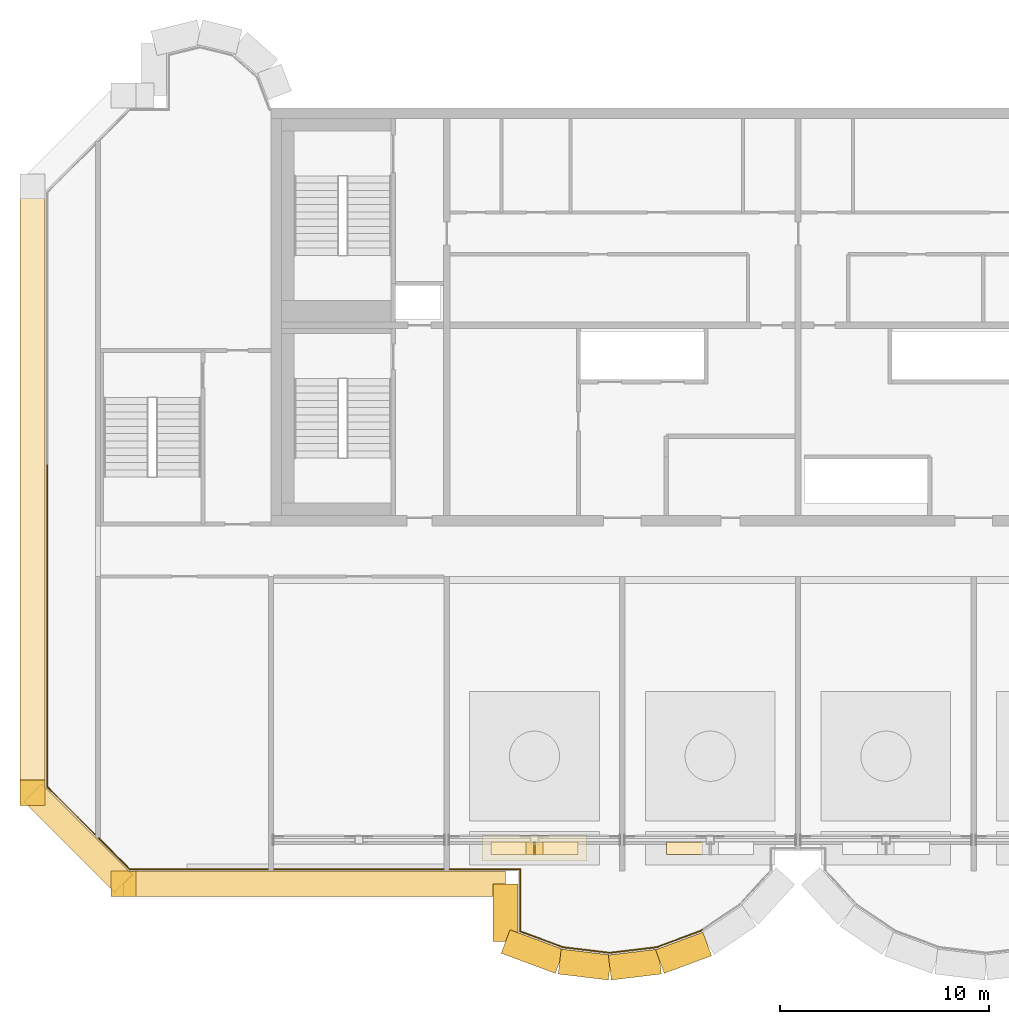
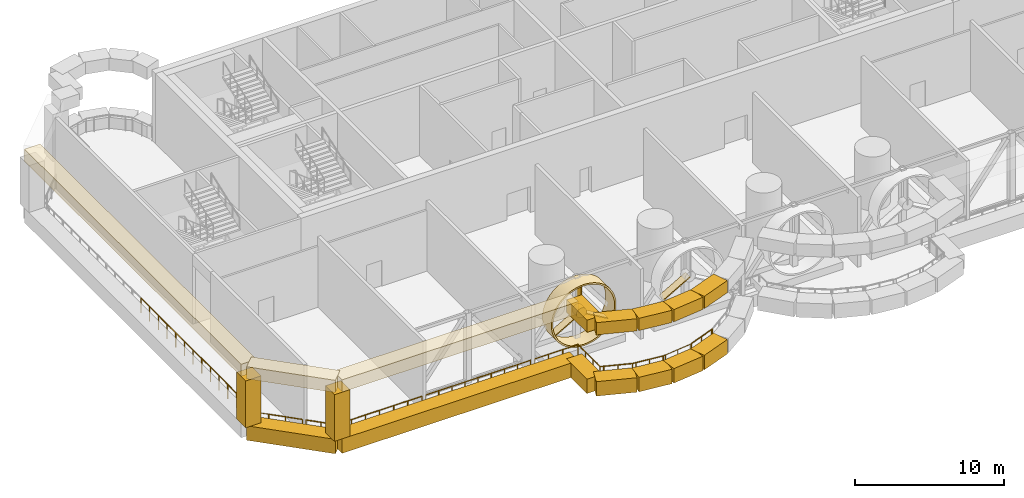
# One storey, part 8 of 15: 23 coverings, 23 railings.
"""IFC4 building model written with IfcOpenShell, lengths in metres."""

from ifc_helpers import new_model, si_unit, direction, frame, origin, origin_2d, place, context, subcontext, project, spatial, rectangle, circle, hollow_circle, extrude, source, transform, mapped, material, material_profile, profile_set, type_object, element, save


model = new_model("IFC4")

# Units and contexts
model_context = context("Model", 3, precision=1e-05, world=origin(), true_north=direction((0.0, 1.0)))
body_context = subcontext(model_context, "Body", "Model", "MODEL_VIEW")
ifc_project = project(units=[si_unit("LENGTHUNIT", "METRE"), si_unit("AREAUNIT", "SQUARE_METRE"), si_unit("VOLUMEUNIT", "CUBIC_METRE"), si_unit("PLANEANGLEUNIT", "RADIAN"), si_unit("MASSUNIT", "GRAM", prefix="KILO")], contexts=[model_context])

# Site, building, storey
site_placement = place(None, origin())
site = spatial("IfcSite", under=ifc_project, at=site_placement, CompositionType="ELEMENT")
building_placement = place(site_placement, origin())
building = spatial("IfcBuilding", under=site, at=building_placement, Name="Vanashikhar Sky Hotel", CompositionType="ELEMENT")
storey_placement = place(building_placement, frame((0.0, 0.0, 317.699951171875)))
storey = spatial("IfcBuildingStorey", under=building, at=storey_placement, Name="L76", CompositionType="ELEMENT", Elevation=317.699951171875)

# Coverings
ifc_material_1 = material(Name="Concrete M60 dark", Category="concrete")
covering_type_1 = type_object("IfcCoveringType", Name="Turbine slot portal frame", PredefinedType="CLADDING", material=ifc_material_1)
shared_shape_1 = source(origin(), body_context, "Body", "SweptSolid", [
    extrude(rectangle(XDim=2.413818359375, YDim=1.199951171875, at=origin_2d()), origin(), (0.0, 0.0, 1.0), 1.0),
])
covering_1_placement = place(storey_placement, frame((44.92724609375, 1.6005859375, 4.719970703125), z_axis=(0.0, 0.0, 1.0), x_axis=(0.937531182424, 0.347901253208, 0.0)))
element("IfcCovering", 1, at=covering_1_placement, inside=storey, type_object=covering_type_1, Name="Portal frame head", PredefinedType="CLADDING", context=body_context, shape_type="MappedRepresentation", body=[
    mapped(shared_shape_1, transform((0.0, 0.0, 0.0), scale=1.0)),
])
shared_shape_2 = source(origin(), body_context, "Body", "SweptSolid", [
    extrude(rectangle(XDim=2.413818359375, YDim=1.199951171875, at=origin_2d()), origin(), (0.0, 0.0, 1.0), 1.179931640625),
])
covering_2_placement = place(storey_placement, frame((44.92724609375, 1.6005859375, -0.27978515625), z_axis=(0.0, 0.0, 1.0), x_axis=(0.937531182424, 0.347901253208, 0.0)))
element("IfcCovering", 2, at=covering_2_placement, inside=storey, type_object=covering_type_1, Name="Portal frame sill", PredefinedType="CLADDING", context=body_context, shape_type="MappedRepresentation", body=[
    mapped(shared_shape_2, transform((0.0, 0.0, 0.0), scale=1.0)),
])
shared_shape_3 = source(origin(), body_context, "Body", "SweptSolid", [
    extrude(rectangle(XDim=2.41259765625, YDim=1.199951171875, at=origin_2d()), origin(), (0.0, 0.0, 1.0), 1.0),
])
for number, where, z_axis, x_axis, name in (
    (3, (40.2021484375, 1.0380859375, 4.719970703125), (0.0, 0.0, 1.0), (0.993008838731, -0.118040019495, 0.0), "Portal frame head"),
    (4, (42.597900390625, 1.0380859375, 4.719970703125), (0.0, 0.0, 1.0), (0.993008838731, 0.118040019495, 0.0), "Portal frame head"),
):
    element("IfcCovering", number, at=place(storey_placement, frame(where, z_axis=z_axis, x_axis=x_axis)), inside=storey, type_object=covering_type_1, Name=name, PredefinedType="CLADDING", context=body_context, shape_type="MappedRepresentation", body=[
        mapped(shared_shape_3, transform((0.0, 0.0, 0.0), scale=1.0)),
    ])
shared_shape_4 = source(origin(), body_context, "Body", "SweptSolid", [
    extrude(rectangle(XDim=2.41259765625, YDim=1.199951171875, at=origin_2d()), origin(), (0.0, 0.0, 1.0), 1.179931640625),
])
for number, where, z_axis, x_axis, name in (
    (5, (40.2021484375, 1.0380859375, -0.27978515625), (0.0, 0.0, 1.0), (0.993008838731, -0.118040019495, 0.0), "Portal frame sill"),
    (6, (42.597900390625, 1.0380859375, -0.27978515625), (0.0, 0.0, 1.0), (0.993008838731, 0.118040019495, 0.0), "Portal frame sill"),
):
    element("IfcCovering", number, at=place(storey_placement, frame(where, z_axis=z_axis, x_axis=x_axis)), inside=storey, type_object=covering_type_1, Name=name, PredefinedType="CLADDING", context=body_context, shape_type="MappedRepresentation", body=[
        mapped(shared_shape_4, transform((0.0, 0.0, 0.0), scale=1.0)),
    ])
shared_shape_5 = source(origin(), body_context, "Body", "SweptSolid", [
    extrude(rectangle(XDim=6.154052734375, YDim=1.199951171875, at=origin_2d()), origin(), (0.0, 0.0, 1.0), 1.0),
])
covering_3_placement = place(storey_placement, frame((15.9755859375, 7.07568359375, 4.719970703125), z_axis=(0.0, 0.0, 1.0), x_axis=(0.707106781187, -0.707106781187, 0.0)))
element("IfcCovering", 7, at=covering_3_placement, inside=storey, type_object=covering_type_1, Name="Portal frame head", PredefinedType="CLADDING", context=body_context, shape_type="MappedRepresentation", body=[
    mapped(shared_shape_5, transform((0.0, 0.0, 0.0), scale=1.0)),
])
shared_shape_6 = source(origin(), body_context, "Body", "SweptSolid", [
    extrude(rectangle(XDim=28.9970703125, YDim=1.199951171875, at=origin_2d()), origin(), (0.0, 0.0, 1.0), 1.0),
])
covering_4_placement = place(storey_placement, frame((13.800048828125, 23.75, 4.719970703125), z_axis=(0.0, 0.0, 1.0), x_axis=(0.0, -1.0, 0.0)))
element("IfcCovering", 8, at=covering_4_placement, inside=storey, type_object=covering_type_1, Name="Portal frame head", PredefinedType="CLADDING", context=body_context, shape_type="MappedRepresentation", body=[
    mapped(shared_shape_6, transform((0.0, 0.0, 0.0), scale=1.0)),
])

# Railings
ifc_material_2 = material(Name="Stainless steel 316", Category="steel")
railing_type = type_object("IfcRailingType", Name="Open edge guard 1200", PredefinedType="GUARDRAIL", material=ifc_material_2)
shared_shape_7 = source(origin(), body_context, "Body", "SweptSolid", [
    extrude(circle(Radius=0.02392578125, at=origin_2d()), frame((0.0, 0.0, 1.17578125), z_axis=(-0.707106781187, 0.707106781187, 0.0), x_axis=(-0.707106781187, -0.707106781187, 0.0)), (0.0, 0.0, 1.0), 2.32421875),
    extrude(circle(Radius=0.02099609375, at=origin_2d()), origin(), (0.0, 0.0, 1.0), 1.15185546875),
    extrude(circle(Radius=0.02099609375, at=origin_2d()), frame((-0.82177734375, 0.82177734375, 0.0)), (0.0, 0.0, 1.0), 1.15185546875),
    extrude(circle(Radius=0.02099609375, at=origin_2d()), frame((-1.6435546875, 1.6435546875, 0.0)), (0.0, 0.0, 1.0), 1.15185546875),
])
railing_1_placement = place(storey_placement, frame((16.780029296875, 7.261474609375, 0.0)))
element("IfcRailing", 9, at=railing_1_placement, inside=storey, type_object=railing_type, Name="Open edge guard", PredefinedType="GUARDRAIL", context=body_context, shape_type="MappedRepresentation", body=[
    mapped(shared_shape_7, transform((0.0, 0.0, 0.0), scale=1.0)),
])
shared_shape_8 = source(origin(), body_context, "Body", "SweptSolid", [
    extrude(circle(Radius=0.02392578125, at=origin_2d()), frame((0.0, 0.0, 1.17578125), z_axis=(-0.707106781187, 0.707106781187, 0.0), x_axis=(-0.707106781187, -0.707106781187, 0.0)), (0.0, 0.0, 1.0), 0.900146484375),
    extrude(circle(Radius=0.02392578125, at=origin_2d()), frame((-0.636474609375, 0.636474609375, 1.17578125), z_axis=(0.0, 1.0, 0.0), x_axis=(-1.0, 0.0, 0.0)), (0.0, 0.0, 1.0), 1.42431640625),
    extrude(circle(Radius=0.02099609375, at=origin_2d()), origin(), (0.0, 0.0, 1.0), 1.15185546875),
    extrude(circle(Radius=0.02099609375, at=origin_2d()), frame((-0.636474609375, 0.636474609375, 0.0)), (0.0, 0.0, 1.0), 1.15185546875),
    extrude(circle(Radius=0.02099609375, at=origin_2d()), frame((-0.636474609375, 1.3486328125, 0.0)), (0.0, 0.0, 1.0), 1.15185546875),
    extrude(circle(Radius=0.02099609375, at=origin_2d()), frame((-0.636474609375, 2.060791015625, 0.0)), (0.0, 0.0, 1.0), 1.15185546875),
])
railing_2_placement = place(storey_placement, frame((15.136474609375, 8.905029296875, 0.0)))
element("IfcRailing", 10, at=railing_2_placement, inside=storey, type_object=railing_type, Name="Open edge guard", PredefinedType="GUARDRAIL", context=body_context, shape_type="MappedRepresentation", body=[
    mapped(shared_shape_8, transform((0.0, 0.0, 0.0), scale=1.0)),
])
shared_shape_9 = source(origin(), body_context, "Body", "SweptSolid", [
    extrude(circle(Radius=0.02392578125, at=origin_2d()), frame((0.0, 0.0, 1.17578125), z_axis=(0.0, 1.0, 0.0), x_axis=(-1.0, 0.0, 0.0)), (0.0, 0.0, 1.0), 2.324462890625),
    extrude(circle(Radius=0.02099609375, at=origin_2d()), origin(), (0.0, 0.0, 1.0), 1.15185546875),
    extrude(circle(Radius=0.02099609375, at=origin_2d()), frame((0.0, 1.162109375, 0.0)), (0.0, 0.0, 1.0), 1.15185546875),
    extrude(circle(Radius=0.02099609375, at=origin_2d()), frame((0.0, 2.324462890625, 0.0)), (0.0, 0.0, 1.0), 1.15185546875),
])
for number, where, name in (
    (11, (14.5, 10.9658203125, 0.0), "Open edge guard"),
    (12, (14.5, 15.614501953125, 0.0), "Open edge guard"),
    (13, (14.5, 17.93896484375, 0.0), "Open edge guard"),
    (14, (14.5, 20.263427734375, 0.0), "Open edge guard"),
):
    element("IfcRailing", number, at=place(storey_placement, frame(where)), inside=storey, type_object=railing_type, Name=name, PredefinedType="GUARDRAIL", context=body_context, shape_type="MappedRepresentation", body=[
        mapped(shared_shape_9, transform((0.0, 0.0, 0.0), scale=1.0)),
    ])
shared_shape_10 = source(origin(), body_context, "Body", "SweptSolid", [
    extrude(circle(Radius=0.02392578125, at=origin_2d()), frame((0.0, 0.0, 1.17578125), z_axis=(0.0, 1.0, 0.0), x_axis=(-1.0, 0.0, 0.0)), (0.0, 0.0, 1.0), 2.32421875),
    extrude(circle(Radius=0.02099609375, at=origin_2d()), origin(), (0.0, 0.0, 1.0), 1.15185546875),
    extrude(circle(Radius=0.02099609375, at=origin_2d()), frame((0.0, 1.162109375, 0.0)), (0.0, 0.0, 1.0), 1.15185546875),
    extrude(circle(Radius=0.02099609375, at=origin_2d()), frame((0.0, 2.32421875, 0.0)), (0.0, 0.0, 1.0), 1.15185546875),
])
for number, where, name in (
    (15, (14.5, 13.290283203125, 0.0), "Open edge guard"),
    (16, (14.5, 22.587890625, 0.0), "Open edge guard"),
):
    element("IfcRailing", number, at=place(storey_placement, frame(where)), inside=storey, type_object=railing_type, Name=name, PredefinedType="GUARDRAIL", context=body_context, shape_type="MappedRepresentation", body=[
        mapped(shared_shape_10, transform((0.0, 0.0, 0.0), scale=1.0)),
    ])
shared_shape_11 = source(origin(), body_context, "Body", "SweptSolid", [
    extrude(circle(Radius=0.02392578125, at=origin_2d()), frame((0.0, 0.0, 1.17578125), z_axis=(-1.0, 0.0, 0.0), x_axis=(0.0, -1.0, 0.0)), (0.0, 0.0, 1.0), 2.176513671875),
    extrude(circle(Radius=0.02099609375, at=origin_2d()), origin(), (0.0, 0.0, 1.0), 1.15185546875),
    extrude(circle(Radius=0.02099609375, at=origin_2d()), frame((-1.08837890625, 0.0, 0.0)), (0.0, 0.0, 1.0), 1.15185546875),
    extrude(circle(Radius=0.02099609375, at=origin_2d()), frame((-2.176513671875, 0.0, 0.0)), (0.0, 0.0, 1.0), 1.15185546875),
])
railing_3_placement = place(storey_placement, frame((25.054931640625, 5.60009765625, 0.0)))
element("IfcRailing", 17, at=railing_3_placement, inside=storey, type_object=railing_type, Name="Open edge guard", PredefinedType="GUARDRAIL", context=body_context, shape_type="MappedRepresentation", body=[
    mapped(shared_shape_11, transform((0.0, 0.0, 0.0), scale=1.0)),
])
shared_shape_12 = source(origin(), body_context, "Body", "SweptSolid", [
    extrude(circle(Radius=0.02392578125, at=origin_2d()), frame((0.0, 0.0, 1.17578125), z_axis=(-1.0, 0.0, 0.0), x_axis=(0.0, -1.0, 0.0)), (0.0, 0.0, 1.0), 2.1767578125),
    extrude(circle(Radius=0.02099609375, at=origin_2d()), origin(), (0.0, 0.0, 1.0), 1.15185546875),
    extrude(circle(Radius=0.02099609375, at=origin_2d()), frame((-1.08837890625, 0.0, 0.0)), (0.0, 0.0, 1.0), 1.15185546875),
    extrude(circle(Radius=0.02099609375, at=origin_2d()), frame((-2.1767578125, 0.0, 0.0)), (0.0, 0.0, 1.0), 1.15185546875),
])
for number, where, name in (
    (18, (22.87841796875, 5.60009765625, 0.0), "Open edge guard"),
    (19, (20.70166015625, 5.60009765625, 0.0), "Open edge guard"),
):
    element("IfcRailing", number, at=place(storey_placement, frame(where)), inside=storey, type_object=railing_type, Name=name, PredefinedType="GUARDRAIL", context=body_context, shape_type="MappedRepresentation", body=[
        mapped(shared_shape_12, transform((0.0, 0.0, 0.0), scale=1.0)),
    ])
shared_shape_13 = source(origin(), body_context, "Body", "SweptSolid", [
    extrude(circle(Radius=0.02392578125, at=origin_2d()), frame((0.0, 0.0, 1.17578125), z_axis=(-1.0, 0.0, 0.0), x_axis=(0.0, -1.0, 0.0)), (0.0, 0.0, 1.0), 0.08349609375),
    extrude(circle(Radius=0.02392578125, at=origin_2d()), frame((-0.08349609375, 0.0, 1.17578125), z_axis=(-0.707106781187, 0.707106781187, 0.0), x_axis=(-0.707106781187, -0.707106781187, 0.0)), (0.0, 0.0, 1.0), 2.093017578125),
    extrude(circle(Radius=0.02099609375, at=origin_2d()), origin(), (0.0, 0.0, 1.0), 1.15185546875),
    extrude(circle(Radius=0.02099609375, at=origin_2d()), frame((-0.08349609375, 0.0, 0.0)), (0.0, 0.0, 1.0), 1.15185546875),
    extrude(circle(Radius=0.02099609375, at=origin_2d()), frame((-0.823486328125, 0.739990234375, 0.0)), (0.0, 0.0, 1.0), 1.15185546875),
    extrude(circle(Radius=0.02099609375, at=origin_2d()), frame((-1.5634765625, 1.47998046875, 0.0)), (0.0, 0.0, 1.0), 1.15185546875),
])
railing_4_placement = place(storey_placement, frame((18.52490234375, 5.60009765625, 0.0)))
element("IfcRailing", 20, at=railing_4_placement, inside=storey, type_object=railing_type, Name="Open edge guard", PredefinedType="GUARDRAIL", context=body_context, shape_type="MappedRepresentation", body=[
    mapped(shared_shape_13, transform((0.0, 0.0, 0.0), scale=1.0)),
])
shared_shape_14 = source(origin(), body_context, "Body", "SweptSolid", [
    extrude(circle(Radius=0.02392578125, at=origin_2d()), frame((0.0, 0.0, 1.17578125), z_axis=(-1.0, 0.0, 0.0), x_axis=(0.0, -1.0, 0.0)), (0.0, 0.0, 1.0), 2.027587890625),
    extrude(circle(Radius=0.02099609375, at=origin_2d()), origin(), (0.0, 0.0, 1.0), 1.15185546875),
    extrude(circle(Radius=0.02099609375, at=origin_2d()), frame((-1.013671875, 0.0, 0.0)), (0.0, 0.0, 1.0), 1.15185546875),
    extrude(circle(Radius=0.02099609375, at=origin_2d()), frame((-2.027587890625, 0.0, 0.0)), (0.0, 0.0, 1.0), 1.15185546875),
])
for number, where, name in (
    (21, (33.455078125, 5.60009765625, 0.0), "Open edge guard"),
    (22, (31.427490234375, 5.60009765625, 0.0), "Open edge guard"),
    (23, (27.37255859375, 5.60009765625, 0.0), "Open edge guard"),
):
    element("IfcRailing", number, at=place(storey_placement, frame(where)), inside=storey, type_object=railing_type, Name=name, PredefinedType="GUARDRAIL", context=body_context, shape_type="MappedRepresentation", body=[
        mapped(shared_shape_14, transform((0.0, 0.0, 0.0), scale=1.0)),
    ])
shared_shape_15 = source(origin(), body_context, "Body", "SweptSolid", [
    extrude(circle(Radius=0.02392578125, at=origin_2d()), frame((0.0, 0.0, 1.17578125), z_axis=(-1.0, 0.0, 0.0), x_axis=(0.0, -1.0, 0.0)), (0.0, 0.0, 1.0), 2.02734375),
    extrude(circle(Radius=0.02099609375, at=origin_2d()), origin(), (0.0, 0.0, 1.0), 1.15185546875),
    extrude(circle(Radius=0.02099609375, at=origin_2d()), frame((-1.013671875, 0.0, 0.0)), (0.0, 0.0, 1.0), 1.15185546875),
    extrude(circle(Radius=0.02099609375, at=origin_2d()), frame((-2.02734375, 0.0, 0.0)), (0.0, 0.0, 1.0), 1.15185546875),
])
railing_5_placement = place(storey_placement, frame((29.39990234375, 5.60009765625, 0.0)))
element("IfcRailing", 24, at=railing_5_placement, inside=storey, type_object=railing_type, Name="Open edge guard", PredefinedType="GUARDRAIL", context=body_context, shape_type="MappedRepresentation", body=[
    mapped(shared_shape_15, transform((0.0, 0.0, 0.0), scale=1.0)),
])

# Covering
shared_shape_16 = source(origin(), body_context, "Body", "SweptSolid", [
    extrude(rectangle(XDim=6.154052734375, YDim=1.199951171875, at=origin_2d()), origin(), (0.0, 0.0, 1.0), 1.179931640625),
])
covering_5_placement = place(storey_placement, frame((15.9755859375, 7.07568359375, -0.27978515625), z_axis=(0.0, 0.0, 1.0), x_axis=(0.707106781187, -0.707106781187, 0.0)))
element("IfcCovering", 25, at=covering_5_placement, inside=storey, type_object=covering_type_1, Name="Portal frame sill", PredefinedType="CLADDING", context=body_context, shape_type="MappedRepresentation", body=[
    mapped(shared_shape_16, transform((0.0, 0.0, 0.0), scale=1.0)),
])

# Railings
shared_shape_17 = source(origin(), body_context, "Body", "SweptSolid", [
    extrude(circle(Radius=0.02392578125, at=origin_2d()), frame((0.0, 0.0, 1.17578125), z_axis=(-0.829292134127, -0.558815314997, 0.0), x_axis=(0.558815314997, -0.829292134127, 0.0)), (0.0, 0.0, 1.0), 0.095703125),
    extrude(circle(Radius=0.02392578125, at=origin_2d()), frame((-0.079345703125, -0.053466796875, 1.17578125), z_axis=(-0.937508727691, -0.347961758678, 0.0), x_axis=(0.347961758678, -0.937508727691, 0.0)), (0.0, 0.0, 1.0), 2.10009765625),
    extrude(circle(Radius=0.02099609375, at=origin_2d()), origin(), (0.0, 0.0, 1.0), 1.15185546875),
    extrude(circle(Radius=0.02099609375, at=origin_2d()), frame((-0.079345703125, -0.053466796875, 0.0)), (0.0, 0.0, 1.0), 1.15185546875),
    extrude(circle(Radius=0.02099609375, at=origin_2d()), frame((-1.063720703125, -0.4189453125, 0.0)), (0.0, 0.0, 1.0), 1.15185546875),
    extrude(circle(Radius=0.02099609375, at=origin_2d()), frame((-2.048095703125, -0.7841796875, 0.0)), (0.0, 0.0, 1.0), 1.15185546875),
])
railing_6_placement = place(storey_placement, frame((45.81640625, 2.701171875, 0.0)))
element("IfcRailing", 26, at=railing_6_placement, inside=storey, type_object=railing_type, Name="Open edge guard", PredefinedType="GUARDRAIL", context=body_context, shape_type="MappedRepresentation", body=[
    mapped(shared_shape_17, transform((0.0, 0.0, 0.0), scale=1.0)),
])
shared_shape_18 = source(origin(), body_context, "Body", "SweptSolid", [
    extrude(circle(Radius=0.02392578125, at=origin_2d()), frame((0.0, 0.0, 1.17578125), z_axis=(-0.937888851569, -0.346935876067, 0.0), x_axis=(0.346935876067, -0.937888851569, 0.0)), (0.0, 0.0, 1.0), 0.14697265625),
    extrude(circle(Radius=0.02392578125, at=origin_2d()), frame((-0.137939453125, -0.051025390625, 1.17578125), z_axis=(-0.992999263133, -0.118120546125, 0.0), x_axis=(0.118120546125, -0.992999263133, 0.0)), (0.0, 0.0, 1.0), 2.04833984375),
    extrude(circle(Radius=0.02099609375, at=origin_2d()), origin(), (0.0, 0.0, 1.0), 1.15185546875),
    extrude(circle(Radius=0.02099609375, at=origin_2d()), frame((-0.137939453125, -0.051025390625, 0.0)), (0.0, 0.0, 1.0), 1.15185546875),
    extrude(circle(Radius=0.02099609375, at=origin_2d()), frame((-1.15478515625, -0.171875, 0.0)), (0.0, 0.0, 1.0), 1.15185546875),
    extrude(circle(Radius=0.02099609375, at=origin_2d()), frame((-2.171875, -0.29296875, 0.0)), (0.0, 0.0, 1.0), 1.15185546875),
])
railing_7_placement = place(storey_placement, frame((43.768310546875, 1.9169921875, 0.0)))
element("IfcRailing", 27, at=railing_7_placement, inside=storey, type_object=railing_type, Name="Open edge guard", PredefinedType="GUARDRAIL", context=body_context, shape_type="MappedRepresentation", body=[
    mapped(shared_shape_18, transform((0.0, 0.0, 0.0), scale=1.0)),
])
shared_shape_19 = source(origin(), body_context, "Body", "SweptSolid", [
    extrude(circle(Radius=0.02392578125, at=origin_2d()), frame((0.0, 0.0, 1.17578125), z_axis=(-0.99296412139, -0.118415597085, 0.0), x_axis=(0.118415597085, -0.99296412139, 0.0)), (0.0, 0.0, 1.0), 0.197998046875),
    extrude(circle(Radius=0.02392578125, at=origin_2d()), frame((-0.196533203125, -0.0234375, 1.17578125), z_axis=(-0.992992030984, 0.118181328488, 0.0), x_axis=(-0.118181328488, -0.992992030984, 0.0)), (0.0, 0.0, 1.0), 1.99755859375),
    extrude(circle(Radius=0.02099609375, at=origin_2d()), origin(), (0.0, 0.0, 1.0), 1.15185546875),
    extrude(circle(Radius=0.02099609375, at=origin_2d()), frame((-0.196533203125, -0.0234375, 0.0)), (0.0, 0.0, 1.0), 1.15185546875),
    extrude(circle(Radius=0.02099609375, at=origin_2d()), frame((-1.1884765625, 0.0947265625, 0.0)), (0.0, 0.0, 1.0), 1.15185546875),
    extrude(circle(Radius=0.02099609375, at=origin_2d()), frame((-2.18017578125, 0.212646484375, 0.0)), (0.0, 0.0, 1.0), 1.15185546875),
])
railing_8_placement = place(storey_placement, frame((41.596435546875, 1.6240234375, 0.0)))
element("IfcRailing", 28, at=railing_8_placement, inside=storey, type_object=railing_type, Name="Open edge guard", PredefinedType="GUARDRAIL", context=body_context, shape_type="MappedRepresentation", body=[
    mapped(shared_shape_19, transform((0.0, 0.0, 0.0), scale=1.0)),
])
shared_shape_20 = source(origin(), body_context, "Body", "SweptSolid", [
    extrude(circle(Radius=0.02392578125, at=origin_2d()), frame((0.0, 0.0, 1.17578125), z_axis=(-0.993015725956, 0.11798206645, 0.0), x_axis=(-0.11798206645, -0.993015725956, 0.0)), (0.0, 0.0, 1.0), 0.248291015625),
    extrude(circle(Radius=0.02392578125, at=origin_2d()), frame((-0.24658203125, 0.029296875, 1.17578125), z_axis=(-0.937570174911, 0.347796157422, 0.0), x_axis=(-0.347796157422, -0.937570174911, 0.0)), (0.0, 0.0, 1.0), 1.947265625),
    extrude(circle(Radius=0.02099609375, at=origin_2d()), origin(), (0.0, 0.0, 1.0), 1.15185546875),
    extrude(circle(Radius=0.02099609375, at=origin_2d()), frame((-0.24658203125, 0.029296875, 0.0)), (0.0, 0.0, 1.0), 1.15185546875),
    extrude(circle(Radius=0.02099609375, at=origin_2d()), frame((-1.159423828125, 0.367919921875, 0.0)), (0.0, 0.0, 1.0), 1.15185546875),
    extrude(circle(Radius=0.02099609375, at=origin_2d()), frame((-2.072265625, 0.70654296875, 0.0)), (0.0, 0.0, 1.0), 1.15185546875),
])
railing_9_placement = place(storey_placement, frame((39.416259765625, 1.836669921875, 0.0)))
element("IfcRailing", 29, at=railing_9_placement, inside=storey, type_object=railing_type, Name="Open edge guard", PredefinedType="GUARDRAIL", context=body_context, shape_type="MappedRepresentation", body=[
    mapped(shared_shape_20, transform((0.0, 0.0, 0.0), scale=1.0)),
])
shared_shape_21 = source(origin(), body_context, "Body", "SweptSolid", [
    extrude(circle(Radius=0.02392578125, at=origin_2d()), frame((0.0, 0.0, 1.17578125), z_axis=(-0.937237170353, 0.348692538648, 0.0), x_axis=(-0.348692538648, -0.937237170353, 0.0)), (0.0, 0.0, 1.0), 0.2421875),
    extrude(circle(Radius=0.02392578125, at=origin_2d()), frame((-0.22705078125, 0.08447265625, 1.17578125), z_axis=(0.0, 1.0, 0.0), x_axis=(-1.0, 0.0, 0.0)), (0.0, 0.0, 1.0), 1.953125),
    extrude(circle(Radius=0.02099609375, at=origin_2d()), origin(), (0.0, 0.0, 1.0), 1.15185546875),
    extrude(circle(Radius=0.02099609375, at=origin_2d()), frame((-0.22705078125, 0.08447265625, 0.0)), (0.0, 0.0, 1.0), 1.15185546875),
    extrude(circle(Radius=0.02099609375, at=origin_2d()), frame((-0.22705078125, 1.06103515625, 0.0)), (0.0, 0.0, 1.0), 1.15185546875),
    extrude(circle(Radius=0.02099609375, at=origin_2d()), frame((-0.22705078125, 2.03759765625, 0.0)), (0.0, 0.0, 1.0), 1.15185546875),
])
railing_10_placement = place(storey_placement, frame((37.343994140625, 2.543212890625, 0.0)))
element("IfcRailing", 30, at=railing_10_placement, inside=storey, type_object=railing_type, Name="Open edge guard", PredefinedType="GUARDRAIL", context=body_context, shape_type="MappedRepresentation", body=[
    mapped(shared_shape_21, transform((0.0, 0.0, 0.0), scale=1.0)),
])
shared_shape_22 = source(origin(), body_context, "Body", "SweptSolid", [
    extrude(circle(Radius=0.02392578125, at=origin_2d()), frame((0.0, 0.0, 1.17578125), z_axis=(0.0, 1.0, 0.0), x_axis=(-1.0, 0.0, 0.0)), (0.0, 0.0, 1.0), 1.019287109375),
    extrude(circle(Radius=0.02392578125, at=origin_2d()), frame((0.0, 1.019287109375, 1.17578125), z_axis=(-1.0, 0.0, 0.0), x_axis=(0.0, -1.0, 0.0)), (0.0, 0.0, 1.0), 1.176513671875),
    extrude(circle(Radius=0.02099609375, at=origin_2d()), origin(), (0.0, 0.0, 1.0), 1.15185546875),
    extrude(circle(Radius=0.02099609375, at=origin_2d()), frame((0.0, 1.019287109375, 0.0)), (0.0, 0.0, 1.0), 1.15185546875),
    extrude(circle(Radius=0.02099609375, at=origin_2d()), frame((-1.176513671875, 1.019287109375, 0.0)), (0.0, 0.0, 1.0), 1.15185546875),
])
railing_11_placement = place(storey_placement, frame((37.116943359375, 4.580810546875, 0.0)))
element("IfcRailing", 31, at=railing_11_placement, inside=storey, type_object=railing_type, Name="Open edge guard", PredefinedType="GUARDRAIL", context=body_context, shape_type="MappedRepresentation", body=[
    mapped(shared_shape_22, transform((0.0, 0.0, 0.0), scale=1.0)),
])
shared_shape_23 = source(origin(), body_context, "Body", "SweptSolid", [
    extrude(circle(Radius=0.02392578125, at=origin_2d()), frame((0.0, 0.0, 1.17578125), z_axis=(-1.0, 0.0, 0.0), x_axis=(0.0, -1.0, 0.0)), (0.0, 0.0, 1.0), 2.1953125),
    extrude(circle(Radius=0.02099609375, at=origin_2d()), origin(), (0.0, 0.0, 1.0), 1.15185546875),
    extrude(circle(Radius=0.02099609375, at=origin_2d()), frame((-1.09765625, 0.0, 0.0)), (0.0, 0.0, 1.0), 1.15185546875),
    extrude(circle(Radius=0.02099609375, at=origin_2d()), frame((-2.1953125, 0.0, 0.0)), (0.0, 0.0, 1.0), 1.15185546875),
])
railing_12_placement = place(storey_placement, frame((35.9404296875, 5.60009765625, 0.0)))
element("IfcRailing", 32, at=railing_12_placement, inside=storey, type_object=railing_type, Name="Open edge guard", PredefinedType="GUARDRAIL", context=body_context, shape_type="MappedRepresentation", body=[
    mapped(shared_shape_23, transform((0.0, 0.0, 0.0), scale=1.0)),
])

# Coverings
ifc_material_3 = material(Name="Aluminium 6063-T6", Category="aluminium")
ifc_material_profile_1 = material_profile(ifc_material_3, hollow_circle(Radius=2.5, WallThickness=0.1201171875, at=origin_2d()))
ifc_profile_set_1 = profile_set([ifc_material_profile_1], Name="Turbine shroud 5000")
covering_type_2 = type_object("IfcCoveringType", Name="Turbine shroud 5000", PredefinedType="CLADDING", material=ifc_profile_set_1)
shared_shape_24 = source(origin(), body_context, "Body", "SweptSolid", [
    extrude(hollow_circle(Radius=2.5, WallThickness=0.1201171875, at=origin_2d()), origin(), (0.0, 0.0, 1.0), 1.199951171875),
])
covering_6_placement = place(storey_placement, frame((37.800048828125, 6.0, 3.10009765625), z_axis=(0.0, 1.0, 0.0), x_axis=(-1.0, 0.0, 0.0)))
element("IfcCovering", 33, at=covering_6_placement, inside=storey, type_object=covering_type_2, Name="Turbine shroud 1", PredefinedType="CLADDING", context=body_context, shape_type="MappedRepresentation", body=[
    mapped(shared_shape_24, transform((0.0, 0.0, 0.0), scale=1.0)),
])
ifc_material_profile_2 = material_profile(ifc_material_3, circle(Radius=0.39990234375, at=origin_2d()))
ifc_profile_set_2 = profile_set([ifc_material_profile_2], Name="Turbine hub")
covering_type_3 = type_object("IfcCoveringType", Name="Turbine hub", PredefinedType="CLADDING", material=ifc_profile_set_2)
shared_shape_25 = source(origin(), body_context, "Body", "SweptSolid", [
    extrude(circle(Radius=0.39990234375, at=origin_2d()), origin(), (0.0, 0.0, 1.0), 0.599853515625),
])
covering_7_placement = place(storey_placement, frame((37.800048828125, 6.300048828125, 3.10009765625), z_axis=(0.0, 1.0, 0.0), x_axis=(-1.0, 0.0, 0.0)))
element("IfcCovering", 34, at=covering_7_placement, inside=storey, type_object=covering_type_3, Name="Turbine hub 1", PredefinedType="CLADDING", context=body_context, shape_type="MappedRepresentation", body=[
    mapped(shared_shape_25, transform((0.0, 0.0, 0.0), scale=1.0)),
])
ifc_material_profile_3 = material_profile(ifc_material_3, rectangle(XDim=0.60009765625, YDim=0.080078125, at=origin_2d()))
ifc_profile_set_3 = profile_set([ifc_material_profile_3], Name="Turbine rotor blade")
covering_type_4 = type_object("IfcCoveringType", Name="Turbine rotor blade", PredefinedType="CLADDING", material=ifc_profile_set_3)
shared_shape_26 = source(origin(), body_context, "Body", "SweptSolid", [
    extrude(rectangle(XDim=0.60009765625, YDim=0.080078125, at=origin_2d()), origin(), (0.0, 0.0, 1.0), 2.3798828125),
])
covering_8_placement = place(storey_placement, frame((37.800048828125, 6.60009765625, 3.10009765625), z_axis=(0.0, 0.0, 1.0), x_axis=(0.0, 1.0, 0.0)))
element("IfcCovering", 35, at=covering_8_placement, inside=storey, type_object=covering_type_4, Name="Turbine rotor blade 1.1", PredefinedType="CLADDING", context=body_context, shape_type="MappedRepresentation", body=[
    mapped(shared_shape_26, transform((0.0, 0.0, 0.0), scale=1.0)),
])
shared_shape_27 = source(origin(), body_context, "Body", "SweptSolid", [
    extrude(rectangle(XDim=0.60009765625, YDim=0.080078125, at=origin_2d()), origin(), (0.0, 0.0, 1.0), 2.3798828125),
])
for number, where, z_axis, x_axis, name in (
    (36, (37.800048828125, 6.60009765625, 3.10009765625), (-0.866025002776, 0.0, -0.500000694566), (0.0, -1.0, 0.0), "Turbine rotor blade 1.2"),
    (37, (37.800048828125, 6.60009765625, 3.10009765625), (0.866025002776, 0.0, -0.500000694566), (0.0, 1.0, 0.0), "Turbine rotor blade 1.3"),
    (38, (46.199951171875, 6.60009765625, 3.10009765625), (-0.866025002776, 0.0, -0.500000694566), (0.0, -1.0, 0.0), "Turbine rotor blade 2.2"),
):
    element("IfcCovering", number, at=place(storey_placement, frame(where, z_axis=z_axis, x_axis=x_axis)), inside=storey, type_object=covering_type_4, Name=name, PredefinedType="CLADDING", context=body_context, shape_type="MappedRepresentation", body=[
        mapped(shared_shape_27, transform((0.0, 0.0, 0.0), scale=1.0)),
    ])
shared_shape_28 = source(origin(), body_context, "Body", "SweptSolid", [
    extrude(rectangle(XDim=18.265380859375, YDim=1.199951171875, at=origin_2d()), origin(), (0.0, 0.0, 1.0), 1.0),
])
covering_9_placement = place(storey_placement, frame((27.2841796875, 4.89990234375, 4.719970703125), z_axis=(0.0, 0.0, 1.0), x_axis=(1.0, 0.0, 0.0)))
element("IfcCovering", 39, at=covering_9_placement, inside=storey, type_object=covering_type_1, Name="Portal frame head", PredefinedType="CLADDING", context=body_context, shape_type="MappedRepresentation", body=[
    mapped(shared_shape_28, transform((0.0, 0.0, 0.0), scale=1.0)),
])
shared_shape_29 = source(origin(), body_context, "Body", "SweptSolid", [
    extrude(rectangle(XDim=18.265380859375, YDim=1.199951171875, at=origin_2d()), origin(), (0.0, 0.0, 1.0), 1.179931640625),
])
covering_10_placement = place(storey_placement, frame((27.2841796875, 4.89990234375, -0.27978515625), z_axis=(0.0, 0.0, 1.0), x_axis=(1.0, 0.0, 0.0)))
element("IfcCovering", 40, at=covering_10_placement, inside=storey, type_object=covering_type_1, Name="Portal frame sill", PredefinedType="CLADDING", context=body_context, shape_type="MappedRepresentation", body=[
    mapped(shared_shape_29, transform((0.0, 0.0, 0.0), scale=1.0)),
])
shared_shape_30 = source(origin(), body_context, "Body", "SweptSolid", [
    extrude(rectangle(XDim=2.75927734375, YDim=1.199951171875, at=origin_2d()), origin(), (0.0, 0.0, 1.0), 1.0),
])
covering_11_placement = place(storey_placement, frame((36.4169921875, 3.5205078125, 4.719970703125), z_axis=(0.0, 0.0, 1.0), x_axis=(0.0, -1.0, 0.0)))
element("IfcCovering", 41, at=covering_11_placement, inside=storey, type_object=covering_type_1, Name="Portal frame head", PredefinedType="CLADDING", context=body_context, shape_type="MappedRepresentation", body=[
    mapped(shared_shape_30, transform((0.0, 0.0, 0.0), scale=1.0)),
])
shared_shape_31 = source(origin(), body_context, "Body", "SweptSolid", [
    extrude(rectangle(XDim=2.75927734375, YDim=1.199951171875, at=origin_2d()), origin(), (0.0, 0.0, 1.0), 1.179931640625),
])
covering_12_placement = place(storey_placement, frame((36.4169921875, 3.5205078125, -0.27978515625), z_axis=(0.0, 0.0, 1.0), x_axis=(0.0, -1.0, 0.0)))
element("IfcCovering", 42, at=covering_12_placement, inside=storey, type_object=covering_type_1, Name="Portal frame sill", PredefinedType="CLADDING", context=body_context, shape_type="MappedRepresentation", body=[
    mapped(shared_shape_31, transform((0.0, 0.0, 0.0), scale=1.0)),
])
shared_shape_32 = source(origin(), body_context, "Body", "SweptSolid", [
    extrude(rectangle(XDim=2.759521484375, YDim=1.199951171875, at=origin_2d()), origin(), (0.0, 0.0, 1.0), 1.0),
])
covering_13_placement = place(storey_placement, frame((37.710693359375, 1.66064453125, 4.719970703125), z_axis=(0.0, 0.0, 1.0), x_axis=(0.937525110258, -0.347917616161, 0.0)))
element("IfcCovering", 43, at=covering_13_placement, inside=storey, type_object=covering_type_1, Name="Portal frame head", PredefinedType="CLADDING", context=body_context, shape_type="MappedRepresentation", body=[
    mapped(shared_shape_32, transform((0.0, 0.0, 0.0), scale=1.0)),
])
shared_shape_33 = source(origin(), body_context, "Body", "SweptSolid", [
    extrude(rectangle(XDim=2.759521484375, YDim=1.199951171875, at=origin_2d()), origin(), (0.0, 0.0, 1.0), 1.179931640625),
])
covering_14_placement = place(storey_placement, frame((37.710693359375, 1.66064453125, -0.27978515625), z_axis=(0.0, 0.0, 1.0), x_axis=(0.937525110258, -0.347917616161, 0.0)))
element("IfcCovering", 44, at=covering_14_placement, inside=storey, type_object=covering_type_1, Name="Portal frame sill", PredefinedType="CLADDING", context=body_context, shape_type="MappedRepresentation", body=[
    mapped(shared_shape_33, transform((0.0, 0.0, 0.0), scale=1.0)),
])
shared_shape_34 = source(origin(), body_context, "Body", "SweptSolid", [
    extrude(rectangle(XDim=1.199951171875, YDim=1.199951171875, at=origin_2d()), origin(), (0.0, 0.0, 1.0), 3.820068359375),
])
for number, where, z_axis, x_axis, name in (
    (45, (13.800048828125, 9.25146484375, 0.89990234375), (0.0, 0.0, 1.0), (1.0, 0.0, 0.0), "Portal frame jamb"),
    (46, (18.151611328125, 4.89990234375, 0.89990234375), (0.0, 0.0, 1.0), (1.0, 0.0, 0.0), "Portal frame jamb"),
):
    element("IfcCovering", number, at=place(storey_placement, frame(where, z_axis=z_axis, x_axis=x_axis)), inside=storey, type_object=covering_type_1, Name=name, PredefinedType="CLADDING", context=body_context, shape_type="MappedRepresentation", body=[
        mapped(shared_shape_34, transform((0.0, 0.0, 0.0), scale=1.0)),
    ])

save(model, "model.ifc")
